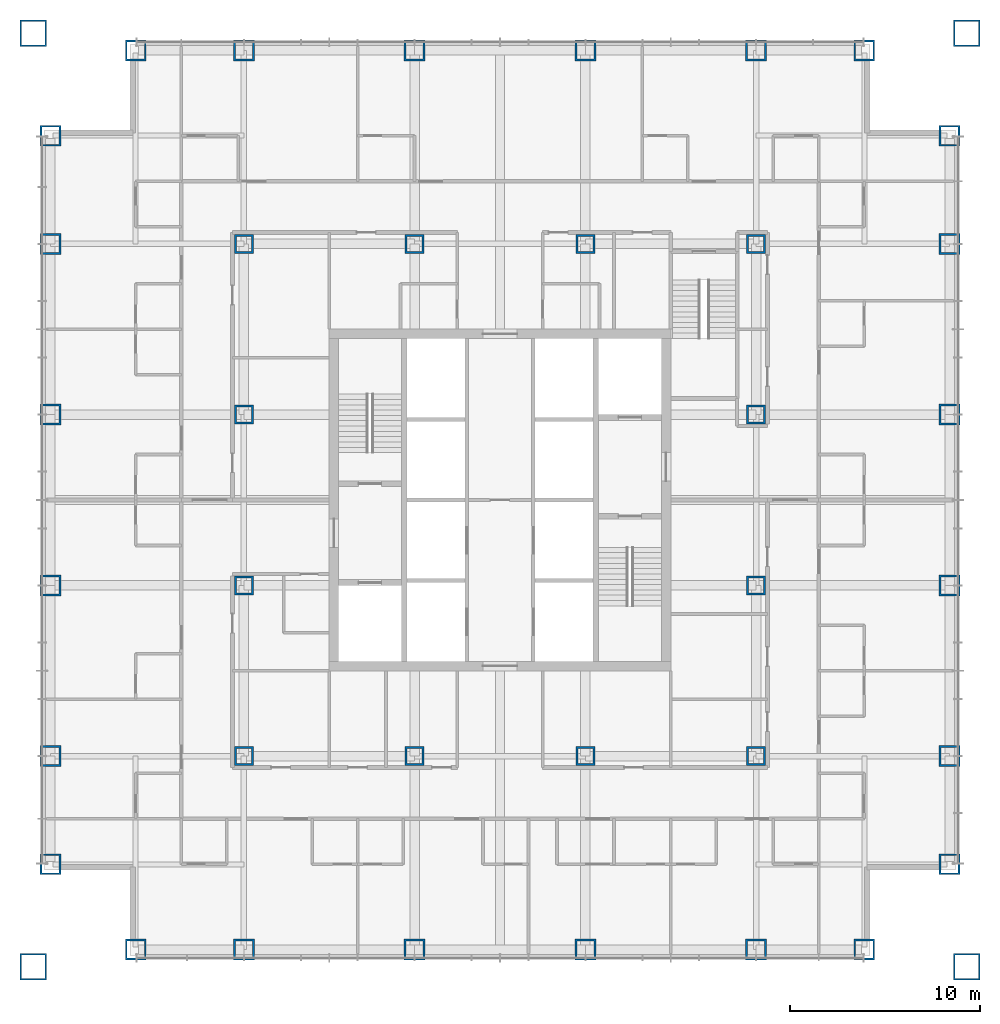
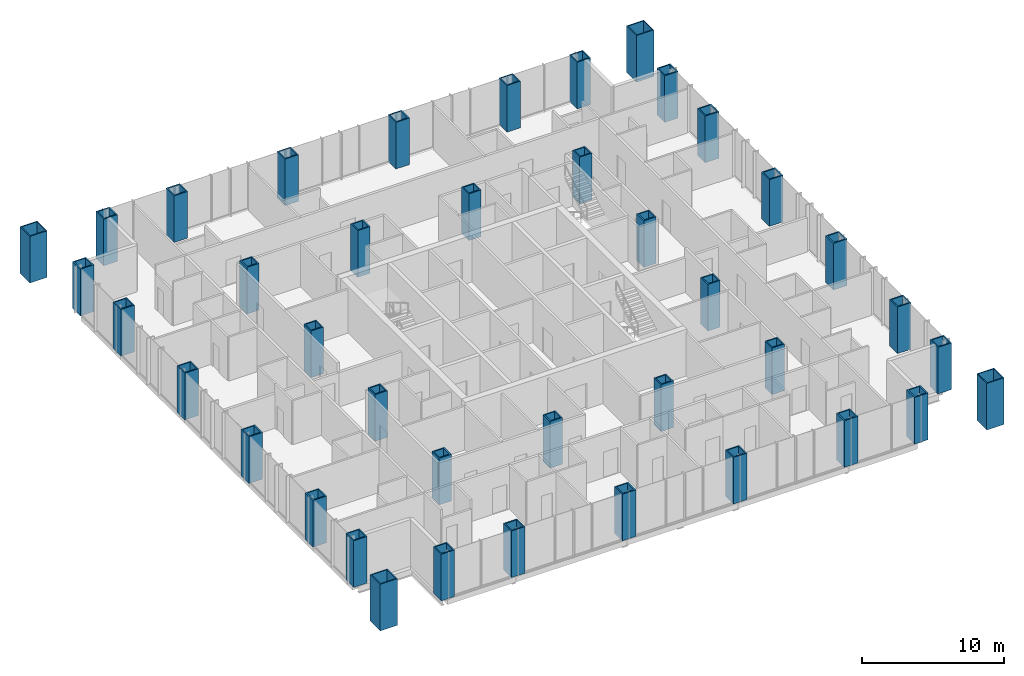
# One storey, part 1 of 12: 40 columns.
"""IFC4 building model written with IfcOpenShell, lengths in metres."""

from ifc_helpers import new_model, si_unit, direction, frame, origin, origin_2d, place, context, subcontext, project, spatial, hollow_rectangle, extrude, material, material_profile, profile_set, type_object, element, save


model = new_model("IFC4")

# Units and contexts
model_context = context("Model", 3, precision=1e-05, world=origin(), true_north=direction((0.0, 1.0)))
body_context = subcontext(model_context, "Body", "Model", "MODEL_VIEW")
ifc_project = project(units=[si_unit("LENGTHUNIT", "METRE"), si_unit("AREAUNIT", "SQUARE_METRE"), si_unit("VOLUMEUNIT", "CUBIC_METRE"), si_unit("PLANEANGLEUNIT", "RADIAN"), si_unit("MASSUNIT", "GRAM", prefix="KILO")], contexts=[model_context])

# Site, building, storey
site_placement = place(None, origin())
site = spatial("IfcSite", under=ifc_project, at=site_placement, CompositionType="ELEMENT")
building_placement = place(site_placement, origin())
building = spatial("IfcBuilding", under=site, at=building_placement, Name="Malebo Sky Hospital", CompositionType="ELEMENT")
storey_placement = place(building_placement, frame((0.0, 0.0, 136.0)))
storey = spatial("IfcBuildingStorey", under=building, at=storey_placement, Name="L32", CompositionType="ELEMENT", Elevation=136.0)

# Columns
ifc_material = material(Name="Steel S460", Category="steel")
ifc_material_profile_1 = material_profile(ifc_material, hollow_rectangle(XDim=1.0, YDim=1.0, WallThickness=0.10009765625, at=origin_2d()), Name="BOX 1000x1000x100")
ifc_profile_set_1 = profile_set([ifc_material_profile_1], Name="Steel S460")
column_type_1 = type_object("IfcColumnType", Name="INNER COLUMN BOX 1000x1000x100", PredefinedType="COLUMN", material=ifc_profile_set_1)
for number, where, z_axis, x_axis, name in (
    (1, (46.5, 48.5, 0.0), (0.0, 0.0, 1.0), (1.0, 0.0, 0.0), "Column IC9 L32"),
    (2, (73.5, 48.5, 0.0), (0.0, 0.0, 1.0), (1.0, 0.0, 0.0), "Column IC9 L32"),
    (3, (73.5, 75.5, 0.0), (0.0, 0.0, 1.0), (1.0, 0.0, 0.0), "Column IC9 L32"),
    (4, (46.5, 75.5, 0.0), (0.0, 0.0, 1.0), (1.0, 0.0, 0.0), "Column IC9 L32"),
    (5, (55.5, 48.5, 0.0), (0.0, 0.0, 1.0), (1.0, 0.0, 0.0), "Column IC9 L32"),
    (6, (64.5, 48.5, 0.0), (0.0, 0.0, 1.0), (1.0, 0.0, 0.0), "Column IC9 L32"),
    (7, (55.5, 75.5, 0.0), (0.0, 0.0, 1.0), (1.0, 0.0, 0.0), "Column IC9 L32"),
    (8, (64.5, 75.5, 0.0), (0.0, 0.0, 1.0), (1.0, 0.0, 0.0), "Column IC9 L32"),
    (9, (46.5, 57.5, 0.0), (0.0, 0.0, 1.0), (1.0, 0.0, 0.0), "Column IC9 L32"),
    (10, (46.5, 66.5, 0.0), (0.0, 0.0, 1.0), (1.0, 0.0, 0.0), "Column IC9 L32"),
    (11, (73.5, 57.5, 0.0), (0.0, 0.0, 1.0), (1.0, 0.0, 0.0), "Column IC9 L32"),
    (12, (73.5, 66.5, 0.0), (0.0, 0.0, 1.0), (1.0, 0.0, 0.0), "Column IC9 L32"),
):
    element("IfcColumn", number, at=place(storey_placement, frame(where, z_axis=z_axis, x_axis=x_axis)), inside=storey, type_object=column_type_1, Name=name, PredefinedType="COLUMN", context=body_context, shape_type="SweptSolid", body=[
        extrude(hollow_rectangle(XDim=1.0, YDim=1.0, WallThickness=0.10009765625, at=origin_2d()), origin(), (0.0, 0.0, 1.0), 4.0),
    ])
ifc_material_profile_2 = material_profile(ifc_material, hollow_rectangle(XDim=1.39990234375, YDim=1.39990234375, WallThickness=0.080078125, at=origin_2d()), Name="BOX 1400x1400x80")
ifc_profile_set_2 = profile_set([ifc_material_profile_2], Name="Steel S460")
column_type_2 = type_object("IfcColumnType", Name="MEGA COLUMN BOX 1400x1400x80", PredefinedType="COLUMN", material=ifc_profile_set_2)
for number, where, z_axis, x_axis, name in (
    (13, (35.39990234375, 37.39990234375, 0.0), (0.0, 0.0, 1.0), (1.0, 0.0, 0.0), "Mega column SW L32"),
    (14, (84.60009765625, 37.39990234375, 0.0), (0.0, 0.0, 1.0), (1.0, 0.0, 0.0), "Mega column SE L32"),
    (15, (84.60009765625, 86.60009765625, 0.0), (0.0, 0.0, 1.0), (1.0, 0.0, 0.0), "Mega column NE L32"),
    (16, (35.39990234375, 86.60009765625, 0.0), (0.0, 0.0, 1.0), (1.0, 0.0, 0.0), "Mega column NW L32"),
):
    element("IfcColumn", number, at=place(storey_placement, frame(where, z_axis=z_axis, x_axis=x_axis)), inside=storey, type_object=column_type_2, Name=name, PredefinedType="COLUMN", context=body_context, shape_type="SweptSolid", body=[
        extrude(hollow_rectangle(XDim=1.39990234375, YDim=1.39990234375, WallThickness=0.080078125, at=origin_2d()), origin(), (0.0, 0.0, 1.0), 4.0),
    ])
ifc_material_profile_3 = material_profile(ifc_material, hollow_rectangle(XDim=1.10009765625, YDim=1.10009765625, WallThickness=0.10009765625, at=origin_2d()), Name="BOX 1100x1100x100")
ifc_profile_set_3 = profile_set([ifc_material_profile_3], Name="Steel S460")
column_type_3 = type_object("IfcColumnType", Name="PERIMETER COLUMN BOX 1100x1100x100", PredefinedType="COLUMN", material=ifc_profile_set_3)
for number, where, z_axis, x_axis, name in (
    (17, (40.800048828125, 38.300048828125, 0.0), (0.0, 0.0, 1.0), (1.0, 0.0, 0.0), "Column PC10 L32"),
    (18, (40.800048828125, 85.699951171875, 0.0), (0.0, 0.0, 1.0), (1.0, 0.0, 0.0), "Column PC10 L32"),
    (19, (36.300048828125, 42.800048828125, 0.0), (0.0, 0.0, 1.0), (1.0, 0.0, 0.0), "Column PC10 L32"),
    (20, (83.699951171875, 42.800048828125, 0.0), (0.0, 0.0, 1.0), (1.0, 0.0, 0.0), "Column PC10 L32"),
    (21, (46.5, 38.300048828125, 0.0), (0.0, 0.0, 1.0), (1.0, 0.0, 0.0), "Column PC10 L32"),
    (22, (46.5, 85.699951171875, 0.0), (0.0, 0.0, 1.0), (1.0, 0.0, 0.0), "Column PC10 L32"),
    (23, (36.300048828125, 48.5, 0.0), (0.0, 0.0, 1.0), (1.0, 0.0, 0.0), "Column PC10 L32"),
    (24, (83.699951171875, 48.5, 0.0), (0.0, 0.0, 1.0), (1.0, 0.0, 0.0), "Column PC10 L32"),
    (25, (55.5, 38.300048828125, 0.0), (0.0, 0.0, 1.0), (1.0, 0.0, 0.0), "Column PC10 L32"),
    (26, (55.5, 85.699951171875, 0.0), (0.0, 0.0, 1.0), (1.0, 0.0, 0.0), "Column PC10 L32"),
    (27, (36.300048828125, 57.5, 0.0), (0.0, 0.0, 1.0), (1.0, 0.0, 0.0), "Column PC10 L32"),
    (28, (83.699951171875, 57.5, 0.0), (0.0, 0.0, 1.0), (1.0, 0.0, 0.0), "Column PC10 L32"),
    (29, (64.5, 38.300048828125, 0.0), (0.0, 0.0, 1.0), (1.0, 0.0, 0.0), "Column PC10 L32"),
    (30, (64.5, 85.699951171875, 0.0), (0.0, 0.0, 1.0), (1.0, 0.0, 0.0), "Column PC10 L32"),
    (31, (36.300048828125, 66.5, 0.0), (0.0, 0.0, 1.0), (1.0, 0.0, 0.0), "Column PC10 L32"),
    (32, (83.699951171875, 66.5, 0.0), (0.0, 0.0, 1.0), (1.0, 0.0, 0.0), "Column PC10 L32"),
    (33, (73.5, 38.300048828125, 0.0), (0.0, 0.0, 1.0), (1.0, 0.0, 0.0), "Column PC10 L32"),
    (34, (73.5, 85.699951171875, 0.0), (0.0, 0.0, 1.0), (1.0, 0.0, 0.0), "Column PC10 L32"),
    (35, (36.300048828125, 75.5, 0.0), (0.0, 0.0, 1.0), (1.0, 0.0, 0.0), "Column PC10 L32"),
    (36, (83.699951171875, 75.5, 0.0), (0.0, 0.0, 1.0), (1.0, 0.0, 0.0), "Column PC10 L32"),
    (37, (79.199951171875, 38.300048828125, 0.0), (0.0, 0.0, 1.0), (1.0, 0.0, 0.0), "Column PC10 L32"),
    (38, (79.199951171875, 85.699951171875, 0.0), (0.0, 0.0, 1.0), (1.0, 0.0, 0.0), "Column PC10 L32"),
    (39, (36.300048828125, 81.199951171875, 0.0), (0.0, 0.0, 1.0), (1.0, 0.0, 0.0), "Column PC10 L32"),
    (40, (83.699951171875, 81.199951171875, 0.0), (0.0, 0.0, 1.0), (1.0, 0.0, 0.0), "Column PC10 L32"),
):
    element("IfcColumn", number, at=place(storey_placement, frame(where, z_axis=z_axis, x_axis=x_axis)), inside=storey, type_object=column_type_3, Name=name, PredefinedType="COLUMN", context=body_context, shape_type="SweptSolid", body=[
        extrude(hollow_rectangle(XDim=1.10009765625, YDim=1.10009765625, WallThickness=0.10009765625, at=origin_2d()), origin(), (0.0, 0.0, 1.0), 4.0),
    ])

save(model, "model.ifc")
